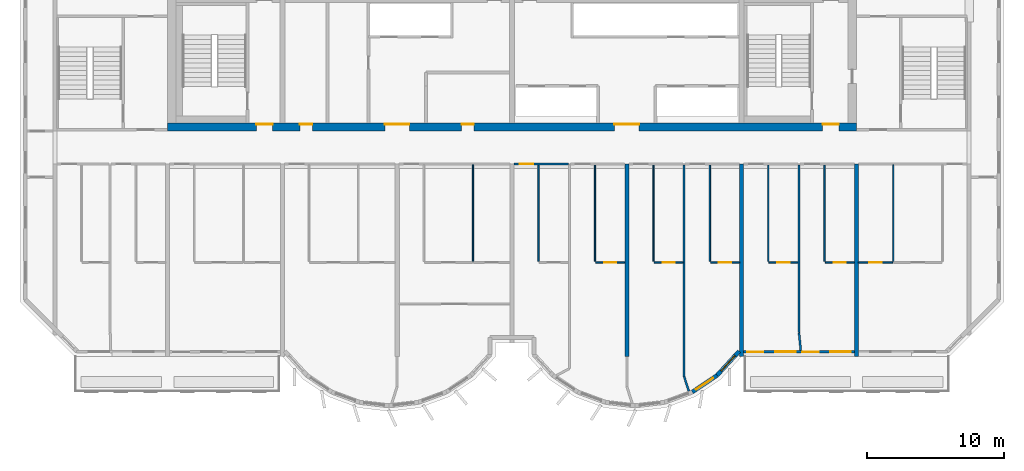
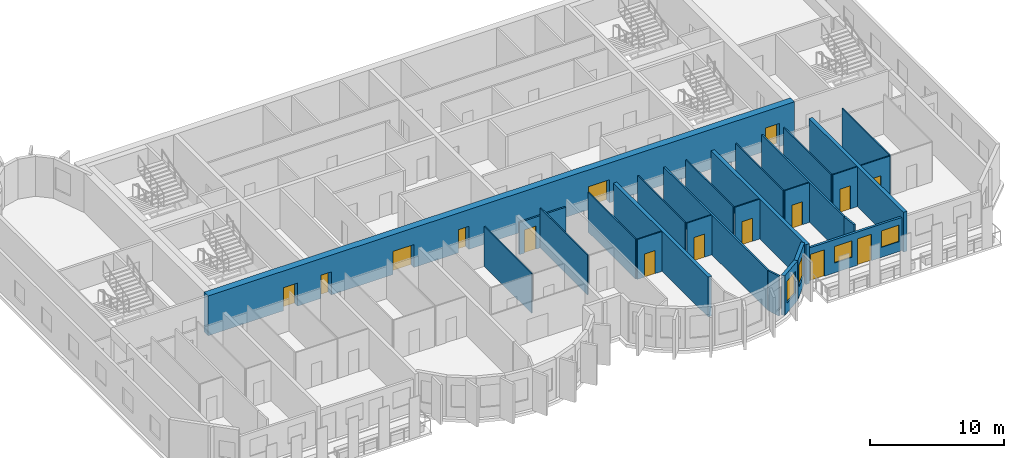
# One storey, part 5 of 12: 26 walls, 15 doors, 4 windows, 19 openings.
"""IFC4 building model written with IfcOpenShell, lengths in metres."""

from ifc_helpers import new_model, si_unit, direction, frame, frame_2d, origin, place, context, subcontext, project, spatial, rectangle, extrude, source, transform, mapped, material, layer, layer_set, type_object, element, fill, save


model = new_model("IFC4")

# Units and contexts
model_context = context("Model", 3, precision=1e-05, world=origin(), true_north=direction((0.0, 1.0)))
body_context = subcontext(model_context, "Body", "Model", "MODEL_VIEW")
ifc_project = project(units=[si_unit("LENGTHUNIT", "METRE"), si_unit("AREAUNIT", "SQUARE_METRE"), si_unit("VOLUMEUNIT", "CUBIC_METRE"), si_unit("PLANEANGLEUNIT", "RADIAN"), si_unit("MASSUNIT", "GRAM", prefix="KILO")], contexts=[model_context])

# Site, building, storey
site_placement = place(None, origin())
site = spatial("IfcSite", under=ifc_project, at=site_placement, CompositionType="ELEMENT")
building_placement = place(site_placement, origin())
building = spatial("IfcBuilding", under=site, at=building_placement, Name="Vanashikhar Sky Hotel", CompositionType="ELEMENT")
storey_placement = place(building_placement, frame((0.0, 0.0, 221.800048828125)))
storey = spatial("IfcBuildingStorey", under=building, at=storey_placement, Name="L53", CompositionType="ELEMENT", Elevation=221.800048828125)

# Wall, openings, doors
ifc_material_1 = material(Name="Concrete M60", Category="concrete")
ifc_layer_1 = layer(ifc_material_1, 0.60009765625)
ifc_layer_set_1 = layer_set([ifc_layer_1], Name="RC core shell wall 600 Concrete M60")
wall_type_1 = type_object("IfcWallType", Name="RC core shell wall 600 Concrete M60", PredefinedType="SHEAR", material=ifc_layer_set_1)
shared_shape_1 = source(origin(), body_context, "Body", "SweptSolid", [
    extrude(rectangle(XDim=50.400146484375, YDim=0.60009765625, at=frame_2d((25.2001953125, 0.0))), origin(), (0.0, 0.0, 1.0), 3.619873046875),
])
wall_1_placement = place(storey_placement, frame((25.199951171875, 22.300048828125, 0.0), z_axis=(0.0, 0.0, 1.0), x_axis=(1.0, 0.0, 0.0)))
wall_1 = element("IfcWall", 1, at=wall_1_placement, inside=storey, type_object=wall_type_1, Name="KW-L53-KS", PredefinedType="SHEAR", context=body_context, shape_type="MappedRepresentation", body=[
    mapped(shared_shape_1, transform((0.0, 0.0, 0.0), scale=1.0)),
])
shared_shape_2 = source(origin(), body_context, "Body", "SweptSolid", [
    extrude(rectangle(XDim=1.800048828125, YDim=2.10009765625, at=frame_2d((0.89990234375, 1.050048828125))), frame((0.0, 0.31005859375, 0.0), z_axis=(0.0, -1.0, 0.0), x_axis=(1.0, 0.0, 0.0)), (0.0, 0.0, 1.0), 0.6201171875),
])
opening_1_placement = place(wall_1_placement, frame((15.89990234375, 0.0, 0.0)))
opening_1 = element("IfcOpeningElement", 2, at=opening_1_placement, cuts=wall_1, Name="Opening DC-3-A", PredefinedType="OPENING", context=body_context, shape_type="MappedRepresentation", body=[
    mapped(shared_shape_2, transform((0.0, 0.0, 0.0), scale=1.0)),
])
shared_shape_3 = source(origin(), body_context, "Body", "SweptSolid", [
    extrude(rectangle(XDim=0.89990234375, YDim=2.10009765625, at=frame_2d((0.449951171875, 1.050048828125))), frame((0.0, 0.31005859375, 0.0), z_axis=(0.0, -1.0, 0.0), x_axis=(1.0, 0.0, 0.0)), (0.0, 0.0, 1.0), 0.6201171875),
])
opening_2_placement = place(wall_1_placement, frame((9.68701171875, 0.0, 0.0)))
opening_2 = element("IfcOpeningElement", 3, at=opening_2_placement, cuts=wall_1, Name="Opening DC-4-A", PredefinedType="OPENING", context=body_context, shape_type="MappedRepresentation", body=[
    mapped(shared_shape_3, transform((0.0, 0.0, 0.0), scale=1.0)),
])
opening_3_placement = place(wall_1_placement, frame((21.512939453125, 0.0, 0.0)))
opening_3 = element("IfcOpeningElement", 4, at=opening_3_placement, cuts=wall_1, Name="Opening DC-4-A", PredefinedType="OPENING", context=body_context, shape_type="MappedRepresentation", body=[
    mapped(shared_shape_3, transform((0.0, 0.0, 0.0), scale=1.0)),
])
opening_4_placement = place(wall_1_placement, frame((32.699951171875, 0.0, 0.0)))
opening_4 = element("IfcOpeningElement", 5, at=opening_4_placement, cuts=wall_1, Name="Opening DC-3-A", PredefinedType="OPENING", context=body_context, shape_type="MappedRepresentation", body=[
    mapped(shared_shape_2, transform((0.0, 0.0, 0.0), scale=1.0)),
])
shared_shape_4 = source(origin(), body_context, "Body", "SweptSolid", [
    extrude(rectangle(XDim=1.199951171875, YDim=2.10009765625, at=frame_2d((0.60009765625, 1.050048828125))), frame((0.0, 0.31005859375, 0.0), z_axis=(0.0, -1.0, 0.0), x_axis=(1.0, 0.0, 0.0)), (0.0, 0.0, 1.0), 0.6201171875),
])
opening_5_placement = place(wall_1_placement, frame((6.488037109375, 0.0, 0.0)))
opening_5 = element("IfcOpeningElement", 6, at=opening_5_placement, cuts=wall_1, Name="Opening DC-2", PredefinedType="OPENING", context=body_context, shape_type="MappedRepresentation", body=[
    mapped(shared_shape_4, transform((0.0, 0.0, 0.0), scale=1.0)),
])
opening_6_placement = place(wall_1_placement, frame((47.925048828125, 0.0, 0.0)))
opening_6 = element("IfcOpeningElement", 7, at=opening_6_placement, cuts=wall_1, Name="Opening DC-2", PredefinedType="OPENING", context=body_context, shape_type="MappedRepresentation", body=[
    mapped(shared_shape_4, transform((0.0, 0.0, 0.0), scale=1.0)),
])
ifc_material_2 = material(Name="Steel", Category="steel")
door_type_1 = type_object("IfcDoorType", Name="Firefighting lobby door 1200 FD120", OperationType="NOTDEFINED", PredefinedType="DOOR", material=ifc_material_2)
shared_shape_5 = source(origin(), body_context, "Body", "SweptSolid", [
    extrude(rectangle(XDim=1.199951171875, YDim=2.10009765625, at=frame_2d((0.60009765625, 1.050048828125))), frame((0.0, 0.22509765625, 0.0), z_axis=(0.0, -1.0, 0.0), x_axis=(1.0, 0.0, 0.0)), (0.0, 0.0, 1.0), 0.050048828125),
])
door_1_placement = place(opening_5_placement, origin())
door_1 = element("IfcDoor", 8, at=door_1_placement, inside=storey, type_object=door_type_1, Name="Firefighting lobby door 1200 FD120", OperationType="SINGLE_SWING_LEFT", OverallHeight=2.10009765625, OverallWidth=1.199951171875, PredefinedType="DOOR", context=body_context, shape_type="MappedRepresentation", body=[
    mapped(shared_shape_5, transform((0.0, 0.0, 0.0), scale=1.0)),
])
fill(opening_5, door_1)
door_2_placement = place(opening_6_placement, origin())
door_2 = element("IfcDoor", 9, at=door_2_placement, inside=storey, type_object=door_type_1, Name="Firefighting lobby door 1200 FD120", OperationType="SINGLE_SWING_LEFT", OverallHeight=2.10009765625, OverallWidth=1.199951171875, PredefinedType="DOOR", context=body_context, shape_type="MappedRepresentation", body=[
    mapped(shared_shape_5, transform((0.0, 0.0, 0.0), scale=1.0)),
])
fill(opening_6, door_2)
door_type_2 = type_object("IfcDoorType", Name="Service door 900 FD60", OperationType="NOTDEFINED", PredefinedType="DOOR", material=ifc_material_2)
shared_shape_6 = source(origin(), body_context, "Body", "SweptSolid", [
    extrude(rectangle(XDim=0.89990234375, YDim=2.10009765625, at=frame_2d((0.449951171875, 1.050048828125))), frame((0.0, 0.22509765625, 0.0), z_axis=(0.0, -1.0, 0.0), x_axis=(1.0, 0.0, 0.0)), (0.0, 0.0, 1.0), 0.050048828125),
])
door_3_placement = place(opening_2_placement, origin())
door_3 = element("IfcDoor", 10, at=door_3_placement, inside=storey, type_object=door_type_2, Name="Service door 900 FD60", OperationType="SINGLE_SWING_RIGHT", OverallHeight=2.10009765625, OverallWidth=0.89990234375, PredefinedType="DOOR", context=body_context, shape_type="MappedRepresentation", body=[
    mapped(shared_shape_6, transform((0.0, 0.0, 0.0), scale=1.0)),
])
fill(opening_2, door_3)
door_4_placement = place(opening_3_placement, origin())
door_4 = element("IfcDoor", 11, at=door_4_placement, inside=storey, type_object=door_type_2, Name="Service door 900 FD60", OperationType="SINGLE_SWING_LEFT", OverallHeight=2.10009765625, OverallWidth=0.89990234375, PredefinedType="DOOR", context=body_context, shape_type="MappedRepresentation", body=[
    mapped(shared_shape_6, transform((0.0, 0.0, 0.0), scale=1.0)),
])
fill(opening_3, door_4)
ifc_material_3 = material(Name="Glass", Category="glass")
door_type_3 = type_object("IfcDoorType", Name="Lift lobby entrance door 1800 FD30S", OperationType="NOTDEFINED", PredefinedType="DOOR", material=ifc_material_3)
shared_shape_7 = source(origin(), body_context, "Body", "SweptSolid", [
    extrude(rectangle(XDim=1.800048828125, YDim=2.10009765625, at=frame_2d((0.89990234375, 1.050048828125))), frame((0.0, 0.22509765625, 0.0), z_axis=(0.0, -1.0, 0.0), x_axis=(1.0, 0.0, 0.0)), (0.0, 0.0, 1.0), 0.050048828125),
])
door_5_placement = place(opening_1_placement, origin())
door_5 = element("IfcDoor", 12, at=door_5_placement, inside=storey, type_object=door_type_3, Name="Lift lobby entrance door 1800 FD30S", OperationType="DOUBLE_DOOR_SINGLE_SWING", OverallHeight=2.10009765625, OverallWidth=1.800048828125, PredefinedType="DOOR", context=body_context, shape_type="MappedRepresentation", body=[
    mapped(shared_shape_7, transform((0.0, 0.0, 0.0), scale=1.0)),
])
fill(opening_1, door_5)
door_6_placement = place(opening_4_placement, origin())
door_6 = element("IfcDoor", 13, at=door_6_placement, inside=storey, type_object=door_type_3, Name="Lift lobby entrance door 1800 FD30S", OperationType="DOUBLE_DOOR_SINGLE_SWING", OverallHeight=2.10009765625, OverallWidth=1.800048828125, PredefinedType="DOOR", context=body_context, shape_type="MappedRepresentation", body=[
    mapped(shared_shape_7, transform((0.0, 0.0, 0.0), scale=1.0)),
])
fill(opening_4, door_6)

# Walls
ifc_layer_2 = layer(ifc_material_1, 0.300048828125)
ifc_layer_set_2 = layer_set([ifc_layer_2], Name="RC shear wall 300 Concrete M60")
wall_type_2 = type_object("IfcWallType", Name="RC shear wall 300 Concrete M60", PredefinedType="SHEAR", material=ifc_layer_set_2)
shared_shape_8 = source(origin(), body_context, "Body", "SweptSolid", [
    extrude(rectangle(XDim=14.10009765625, YDim=0.300048828125, at=frame_2d((7.050048828125, 0.0))), origin(), (0.0, 0.0, 1.0), 3.619873046875),
])
for number, where, z_axis, x_axis, name in (
    (14, (58.800048828125, 5.5, 0.0), (0.0, 0.0, 1.0), (0.0, 1.0, 0.0), "CW-L53-XW08-1"),
    (15, (67.199951171875, 5.5, 0.0), (0.0, 0.0, 1.0), (0.0, 1.0, 0.0), "CW-L53-XW09-1"),
    (16, (75.60009765625, 5.5, 0.0), (0.0, 0.0, 1.0), (0.0, 1.0, 0.0), "CW-L53-XW10-1"),
):
    element("IfcWall", number, at=place(storey_placement, frame(where, z_axis=z_axis, x_axis=x_axis)), inside=storey, type_object=wall_type_2, Name=name, PredefinedType="SHEAR", context=body_context, shape_type="MappedRepresentation", body=[
        mapped(shared_shape_8, transform((0.0, 0.0, 0.0), scale=1.0)),
    ])

# Wall, openings, windows, doors
ifc_material_4 = material(Name="Concrete M50", Category="concrete")
ifc_layer_3 = layer(ifc_material_4, 0.199951171875)
ifc_layer_set_3 = layer_set([ifc_layer_3], Name="Front window wall 200")
wall_type_3 = type_object("IfcWallType", Name="Front window wall 200", PredefinedType="SOLIDWALL", material=ifc_layer_set_3)
shared_shape_9 = source(origin(), body_context, "Body", "SweptSolid", [
    extrude(rectangle(XDim=8.099853515625, YDim=0.199951171875, at=frame_2d((4.0498046875, 0.0))), origin(), (0.0, 0.0, 1.0), 3.02001953125),
])
wall_2_placement = place(storey_placement, frame((67.35009765625, 5.85009765625, 0.0), z_axis=(0.0, 0.0, 1.0), x_axis=(1.0, 0.0, 0.0)))
wall_2 = element("IfcWall", 17, at=wall_2_placement, inside=storey, type_object=wall_type_3, Name="Front window wall", PredefinedType="SOLIDWALL", context=body_context, shape_type="MappedRepresentation", body=[
    mapped(shared_shape_9, transform((0.0, 0.0, 0.0), scale=1.0)),
])
shared_shape_10 = source(origin(), body_context, "Body", "SweptSolid", [
    extrude(rectangle(XDim=1.199951171875, YDim=2.39990234375, at=frame_2d((0.60009765625, 1.199951171875))), frame((0.0, 0.10986328125, 0.0), z_axis=(0.0, -1.0, 0.0), x_axis=(1.0, 0.0, 0.0)), (0.0, 0.0, 1.0), 0.219970703125),
])
opening_7_placement = place(wall_2_placement, frame((0.25, 0.0, 0.0)))
opening_7 = element("IfcOpeningElement", 18, at=opening_7_placement, cuts=wall_2, Name="Opening BD-03", PredefinedType="OPENING", context=body_context, shape_type="MappedRepresentation", body=[
    mapped(shared_shape_10, transform((0.0, 0.0, 0.0), scale=1.0)),
])
shared_shape_11 = source(origin(), body_context, "Body", "SweptSolid", [
    extrude(rectangle(XDim=1.5, YDim=1.5, at=frame_2d((0.75, 0.75))), frame((0.0, 0.10986328125, 0.0), z_axis=(0.0, -1.0, 0.0), x_axis=(1.0, 0.0, 0.0)), (0.0, 0.0, 1.0), 0.219970703125),
])
opening_8_placement = place(wall_2_placement, frame((2.300048828125, 0.0, 0.89990234375)))
opening_8 = element("IfcOpeningElement", 19, at=opening_8_placement, cuts=wall_2, Name="Opening WN-1", PredefinedType="OPENING", context=body_context, shape_type="MappedRepresentation", body=[
    mapped(shared_shape_11, transform((0.0, 0.0, 0.0), scale=1.0)),
])
opening_9_placement = place(wall_2_placement, frame((4.300048828125, 0.0, 0.0)))
opening_9 = element("IfcOpeningElement", 20, at=opening_9_placement, cuts=wall_2, Name="Opening BD-04", PredefinedType="OPENING", context=body_context, shape_type="MappedRepresentation", body=[
    mapped(shared_shape_10, transform((0.0, 0.0, 0.0), scale=1.0)),
])
opening_10_placement = place(wall_2_placement, frame((6.35009765625, 0.0, 0.89990234375)))
opening_10 = element("IfcOpeningElement", 21, at=opening_10_placement, cuts=wall_2, Name="Opening WN-1", PredefinedType="OPENING", context=body_context, shape_type="MappedRepresentation", body=[
    mapped(shared_shape_11, transform((0.0, 0.0, 0.0), scale=1.0)),
])
window_type_1 = type_object("IfcWindowType", Name="Window 1500 x 1500", PartitioningType="SINGLE_PANEL", PredefinedType="WINDOW", material=ifc_material_3)
shared_shape_12 = source(origin(), body_context, "Body", "SweptSolid", [
    extrude(rectangle(XDim=1.5, YDim=1.5, at=frame_2d((0.75, 0.75))), frame((0.0, 0.030029296875, 0.0), z_axis=(0.0, -1.0, 0.0), x_axis=(1.0, 0.0, 0.0)), (0.0, 0.0, 1.0), 0.06005859375),
])
window_1_placement = place(opening_8_placement, origin())
window_1 = element("IfcWindow", 22, at=window_1_placement, inside=storey, type_object=window_type_1, Name="Window WN-1", OverallHeight=1.5, OverallWidth=1.5, PartitioningType="SINGLE_PANEL", PredefinedType="WINDOW", context=body_context, shape_type="MappedRepresentation", body=[
    mapped(shared_shape_12, transform((0.0, 0.0, 0.0), scale=1.0)),
])
fill(opening_8, window_1)
window_2_placement = place(opening_10_placement, origin())
window_2 = element("IfcWindow", 23, at=window_2_placement, inside=storey, type_object=window_type_1, Name="Window WN-1", OverallHeight=1.5, OverallWidth=1.5, PartitioningType="SINGLE_PANEL", PredefinedType="WINDOW", context=body_context, shape_type="MappedRepresentation", body=[
    mapped(shared_shape_12, transform((0.0, 0.0, 0.0), scale=1.0)),
])
fill(opening_10, window_2)
ifc_material_5 = material(Name="Aluminium", Category="aluminium")
door_type_4 = type_object("IfcDoorType", Name="Balcony sliding door 1200 x 2400", OperationType="NOTDEFINED", PredefinedType="DOOR", material=ifc_material_5)
shared_shape_13 = source(origin(), body_context, "Body", "SweptSolid", [
    extrude(rectangle(XDim=1.199951171875, YDim=2.39990234375, at=frame_2d((0.60009765625, 1.199951171875))), frame((0.0, 0.02490234375, 0.0), z_axis=(0.0, -1.0, 0.0), x_axis=(1.0, 0.0, 0.0)), (0.0, 0.0, 1.0), 0.050048828125),
])
door_7_placement = place(opening_7_placement, origin())
door_7 = element("IfcDoor", 24, at=door_7_placement, inside=storey, type_object=door_type_4, Name="Balcony sliding door", OperationType="SLIDING_TO_LEFT", OverallHeight=2.39990234375, OverallWidth=1.199951171875, PredefinedType="DOOR", context=body_context, shape_type="MappedRepresentation", body=[
    mapped(shared_shape_13, transform((0.0, 0.0, 0.0), scale=1.0)),
])
fill(opening_7, door_7)
door_8_placement = place(opening_9_placement, origin())
door_8 = element("IfcDoor", 25, at=door_8_placement, inside=storey, type_object=door_type_4, Name="Balcony sliding door", OperationType="SLIDING_TO_RIGHT", OverallHeight=2.39990234375, OverallWidth=1.199951171875, PredefinedType="DOOR", context=body_context, shape_type="MappedRepresentation", body=[
    mapped(shared_shape_13, transform((0.0, 0.0, 0.0), scale=1.0)),
])
fill(opening_9, door_8)

# Wall, opening, window
ifc_layer_4 = layer(ifc_material_4, 0.300048828125)
ifc_layer_set_4 = layer_set([ifc_layer_4], Name="Lobe wall 300")
wall_type_4 = type_object("IfcWallType", Name="Lobe wall 300", PredefinedType="SOLIDWALL", material=ifc_layer_set_4)
shared_shape_14 = source(origin(), body_context, "Body", "SweptSolid", [
    extrude(rectangle(XDim=2.398193359375, YDim=0.300048828125, at=frame_2d((1.19921875, 0.0))), origin(), (0.0, 0.0, 1.0), 3.619873046875),
])
wall_3_placement = place(storey_placement, frame((65.404296875, 4.13134765625, 0.0), z_axis=(0.0, 0.0, 1.0), x_axis=(0.675374189419, 0.737475222815, 0.0)))
wall_3 = element("IfcWall", 26, at=wall_3_placement, inside=storey, type_object=wall_type_4, Name="Lobe wall", PredefinedType="SOLIDWALL", context=body_context, shape_type="MappedRepresentation", body=[
    mapped(shared_shape_14, transform((0.0, 0.0, 0.0), scale=1.0)),
])
shared_shape_15 = source(origin(), body_context, "Body", "SweptSolid", [
    extrude(rectangle(XDim=1.5, YDim=2.0, at=frame_2d((0.75, 1.0))), frame((0.0, 0.16015625, 0.0), z_axis=(0.0, -1.0, 0.0), x_axis=(1.0, 0.0, 0.0)), (0.0, 0.0, 1.0), 0.320068359375),
])
opening_11_placement = place(wall_3_placement, frame((0.44921875, 0.0, 0.89990234375)))
opening_11 = element("IfcOpeningElement", 27, at=opening_11_placement, cuts=wall_3, Name="Opening WN-2", PredefinedType="OPENING", context=body_context, shape_type="MappedRepresentation", body=[
    mapped(shared_shape_15, transform((0.0, 0.0, 0.0), scale=1.0)),
])
window_type_2 = type_object("IfcWindowType", Name="Lobe window 1500 x 2000", PartitioningType="SINGLE_PANEL", PredefinedType="WINDOW", material=ifc_material_3)
shared_shape_16 = source(origin(), body_context, "Body", "SweptSolid", [
    extrude(rectangle(XDim=1.5, YDim=2.0, at=frame_2d((0.75, 1.0))), frame((0.0, 0.030029296875, 0.0), z_axis=(0.0, -1.0, 0.0), x_axis=(1.0, 0.0, 0.0)), (0.0, 0.0, 1.0), 0.06005859375),
])
window_3_placement = place(opening_11_placement, origin())
window_3 = element("IfcWindow", 28, at=window_3_placement, inside=storey, type_object=window_type_2, Name="Window WN-2", OverallHeight=2.0, OverallWidth=1.5, PartitioningType="SINGLE_PANEL", PredefinedType="WINDOW", context=body_context, shape_type="MappedRepresentation", body=[
    mapped(shared_shape_16, transform((0.0, 0.0, 0.0), scale=1.0)),
])
fill(opening_11, window_3)

shared_shape_17 = source(origin(), body_context, "Body", "SweptSolid", [
    extrude(rectangle(XDim=2.17578125, YDim=0.300048828125, at=frame_2d((1.087890625, 0.0))), origin(), (0.0, 0.0, 1.0), 3.619873046875),
])
wall_4_placement = place(storey_placement, frame((63.59912109375, 2.91650390625, 0.0), z_axis=(0.0, 0.0, 1.0), x_axis=(0.829625727223, 0.558319937607, 0.0)))
wall_4 = element("IfcWall", 29, at=wall_4_placement, inside=storey, type_object=wall_type_4, Name="Lobe wall", PredefinedType="SOLIDWALL", context=body_context, shape_type="MappedRepresentation", body=[
    mapped(shared_shape_17, transform((0.0, 0.0, 0.0), scale=1.0)),
])
opening_12_placement = place(wall_4_placement, frame((0.337890625, 0.0, 0.89990234375)))
opening_12 = element("IfcOpeningElement", 30, at=opening_12_placement, cuts=wall_4, Name="Opening WN-2", PredefinedType="OPENING", context=body_context, shape_type="MappedRepresentation", body=[
    mapped(shared_shape_15, transform((0.0, 0.0, 0.0), scale=1.0)),
])
window_4_placement = place(opening_12_placement, origin())
window_4 = element("IfcWindow", 31, at=window_4_placement, inside=storey, type_object=window_type_2, Name="Window WN-2", OverallHeight=2.0, OverallWidth=1.5, PartitioningType="SINGLE_PANEL", PredefinedType="WINDOW", context=body_context, shape_type="MappedRepresentation", body=[
    mapped(shared_shape_16, transform((0.0, 0.0, 0.0), scale=1.0)),
])
fill(opening_12, window_4)

# Wall, opening, door
ifc_material_6 = material(Name="Gypsum plasterboard partition")
ifc_layer_5 = layer(ifc_material_6, 0.14990234375)
ifc_layer_set_5 = layer_set([ifc_layer_5], Name="Corridor and demising partition 150")
wall_type_5 = type_object("IfcWallType", Name="Corridor and demising partition 150", PredefinedType="PARTITIONING", material=ifc_layer_set_5)
shared_shape_18 = source(origin(), body_context, "Body", "SweptSolid", [
    extrude(rectangle(XDim=3.974853515625, YDim=0.14990234375, at=frame_2d((1.9873046875, 0.0))), origin(), (0.0, 0.0, 1.0), 2.919921875),
])
wall_5_placement = place(storey_placement, frame((50.550048828125, 19.60009765625, 0.0), z_axis=(0.0, 0.0, 1.0), x_axis=(1.0, 0.0, 0.0)))
wall_5 = element("IfcWall", 32, at=wall_5_placement, inside=storey, type_object=wall_type_5, Name="W-L53-PW026", PredefinedType="PARTITIONING", context=body_context, shape_type="MappedRepresentation", body=[
    mapped(shared_shape_18, transform((0.0, 0.0, 0.0), scale=1.0)),
])
shared_shape_19 = source(origin(), body_context, "Body", "SweptSolid", [
    extrude(rectangle(XDim=1.0, YDim=2.10009765625, at=frame_2d((0.5, 1.050048828125))), frame((0.0, 0.0849609375, 0.0), z_axis=(0.0, -1.0, 0.0), x_axis=(1.0, 0.0, 0.0)), (0.0, 0.0, 1.0), 0.169921875),
])
opening_13_placement = place(wall_5_placement, frame((0.39990234375, 0.0, 0.0)))
opening_13 = element("IfcOpeningElement", 33, at=opening_13_placement, cuts=wall_5, Name="Opening D-01", PredefinedType="OPENING", context=body_context, shape_type="MappedRepresentation", body=[
    mapped(shared_shape_19, transform((0.0, 0.0, 0.0), scale=1.0)),
])
ifc_material_7 = material(Name="Timber fire door", Category="wood")
door_type_5 = type_object("IfcDoorType", Name="Guest entry door 1000 FD30S", OperationType="NOTDEFINED", PredefinedType="DOOR", material=ifc_material_7)
shared_shape_20 = source(origin(), body_context, "Body", "SweptSolid", [
    extrude(rectangle(XDim=1.0, YDim=2.10009765625, at=frame_2d((0.5, 1.050048828125))), frame((0.0, 0.02490234375, 0.0), z_axis=(0.0, -1.0, 0.0), x_axis=(1.0, 0.0, 0.0)), (0.0, 0.0, 1.0), 0.050048828125),
])
door_9_placement = place(opening_13_placement, origin())
door_9 = element("IfcDoor", 34, at=door_9_placement, inside=storey, type_object=door_type_5, Name="D-L53-016", OperationType="SINGLE_SWING_LEFT", OverallHeight=2.10009765625, OverallWidth=1.0, PredefinedType="DOOR", context=body_context, shape_type="MappedRepresentation", body=[
    mapped(shared_shape_20, transform((0.0, 0.0, 0.0), scale=1.0)),
])
fill(opening_13, door_9)

# Walls
ifc_layer_6 = layer(ifc_material_6, 0.10009765625)
ifc_layer_set_6 = layer_set([ifc_layer_6], Name="Wet room partition 100")
wall_type_6 = type_object("IfcWallType", Name="Wet room partition 100", PredefinedType="PARTITIONING", material=ifc_layer_set_6)
shared_shape_21 = source(origin(), body_context, "Body", "SweptSolid", [
    extrude(rectangle(XDim=7.0498046875, YDim=0.10009765625, at=frame_2d((3.52490234375, 0.0))), origin(), (0.0, 0.0, 1.0), 3.619873046875),
])
for number, where, z_axis, x_axis, name in (
    (35, (47.550048828125, 12.47509765625, 0.0), (0.0, 0.0, 1.0), (0.0, 1.0, 0.0), "W-L53-PW019"),
    (36, (52.35009765625, 12.47509765625, 0.0), (0.0, 0.0, 1.0), (0.0, 1.0, 0.0), "W-L53-PW024"),
    (37, (56.47509765625, 12.47509765625, 0.0), (0.0, 0.0, 1.0), (0.0, 1.0, 0.0), "W-L53-PW027"),
    (38, (60.75, 12.47509765625, 0.0), (0.0, 0.0, 1.0), (0.0, 1.0, 0.0), "W-L53-PW031"),
    (39, (64.875, 12.47509765625, 0.0), (0.0, 0.0, 1.0), (0.0, 1.0, 0.0), "W-L53-PW034"),
    (40, (69.14990234375, 12.47509765625, 0.0), (0.0, 0.0, 1.0), (0.0, 1.0, 0.0), "W-L53-PW038"),
    (41, (73.27490234375, 12.47509765625, 0.0), (0.0, 0.0, 1.0), (0.0, 1.0, 0.0), "W-L53-PW041"),
    (42, (78.300048828125, 12.47509765625, 0.0), (0.0, 0.0, 1.0), (0.0, 1.0, 0.0), "W-L53-PW046"),
):
    element("IfcWall", number, at=place(storey_placement, frame(where, z_axis=z_axis, x_axis=x_axis)), inside=storey, type_object=wall_type_6, Name=name, PredefinedType="PARTITIONING", context=body_context, shape_type="MappedRepresentation", body=[
        mapped(shared_shape_21, transform((0.0, 0.0, 0.0), scale=1.0)),
    ])

# Wall, opening, door
shared_shape_22 = source(origin(), body_context, "Body", "SweptSolid", [
    extrude(rectangle(XDim=2.125, YDim=0.10009765625, at=frame_2d((1.0625, 0.0))), origin(), (0.0, 0.0, 1.0), 3.619873046875),
])
wall_6_placement = place(storey_placement, frame((56.52490234375, 12.39990234375, 0.0), z_axis=(0.0, 0.0, 1.0), x_axis=(1.0, 0.0, 0.0)))
wall_6 = element("IfcWall", 43, at=wall_6_placement, inside=storey, type_object=wall_type_6, Name="W-L53-PW028", PredefinedType="PARTITIONING", context=body_context, shape_type="MappedRepresentation", body=[
    mapped(shared_shape_22, transform((0.0, 0.0, 0.0), scale=1.0)),
])
shared_shape_23 = source(origin(), body_context, "Body", "SweptSolid", [
    extrude(rectangle(XDim=0.89990234375, YDim=2.10009765625, at=frame_2d((0.449951171875, 1.050048828125))), frame((0.0, 0.06005859375, 0.0), z_axis=(0.0, -1.0, 0.0), x_axis=(1.0, 0.0, 0.0)), (0.0, 0.0, 1.0), 0.1201171875),
])
opening_14_placement = place(wall_6_placement, frame((0.612060546875, 0.0, 0.0)))
opening_14 = element("IfcOpeningElement", 44, at=opening_14_placement, cuts=wall_6, Name="Opening D-02", PredefinedType="OPENING", context=body_context, shape_type="MappedRepresentation", body=[
    mapped(shared_shape_23, transform((0.0, 0.0, 0.0), scale=1.0)),
])
ifc_material_8 = material(Name="Timber door", Category="wood")
door_type_6 = type_object("IfcDoorType", Name="Internal door 900", OperationType="NOTDEFINED", PredefinedType="DOOR", material=ifc_material_8)
shared_shape_24 = source(origin(), body_context, "Body", "SweptSolid", [
    extrude(rectangle(XDim=0.89990234375, YDim=2.10009765625, at=frame_2d((0.449951171875, 1.050048828125))), frame((0.0, 0.02490234375, 0.0), z_axis=(0.0, -1.0, 0.0), x_axis=(1.0, 0.0, 0.0)), (0.0, 0.0, 1.0), 0.050048828125),
])
door_10_placement = place(opening_14_placement, origin())
door_10 = element("IfcDoor", 45, at=door_10_placement, inside=storey, type_object=door_type_6, Name="D-L53-017", OperationType="SINGLE_SWING_LEFT", OverallHeight=2.10009765625, OverallWidth=0.89990234375, PredefinedType="DOOR", context=body_context, shape_type="MappedRepresentation", body=[
    mapped(shared_shape_24, transform((0.0, 0.0, 0.0), scale=1.0)),
])
fill(opening_14, door_10)

wall_7_placement = place(storey_placement, frame((60.800048828125, 12.39990234375, 0.0), z_axis=(0.0, 0.0, 1.0), x_axis=(1.0, 0.0, 0.0)))
wall_7 = element("IfcWall", 46, at=wall_7_placement, inside=storey, type_object=wall_type_6, Name="W-L53-PW032", PredefinedType="PARTITIONING", context=body_context, shape_type="MappedRepresentation", body=[
    mapped(shared_shape_22, transform((0.0, 0.0, 0.0), scale=1.0)),
])
opening_15_placement = place(wall_7_placement, frame((0.612060546875, 0.0, 0.0)))
opening_15 = element("IfcOpeningElement", 47, at=opening_15_placement, cuts=wall_7, Name="Opening D-02", PredefinedType="OPENING", context=body_context, shape_type="MappedRepresentation", body=[
    mapped(shared_shape_23, transform((0.0, 0.0, 0.0), scale=1.0)),
])
door_11_placement = place(opening_15_placement, origin())
door_11 = element("IfcDoor", 48, at=door_11_placement, inside=storey, type_object=door_type_6, Name="D-L53-019", OperationType="SINGLE_SWING_LEFT", OverallHeight=2.10009765625, OverallWidth=0.89990234375, PredefinedType="DOOR", context=body_context, shape_type="MappedRepresentation", body=[
    mapped(shared_shape_24, transform((0.0, 0.0, 0.0), scale=1.0)),
])
fill(opening_15, door_11)

wall_8_placement = place(storey_placement, frame((64.925048828125, 12.39990234375, 0.0), z_axis=(0.0, 0.0, 1.0), x_axis=(1.0, 0.0, 0.0)))
wall_8 = element("IfcWall", 49, at=wall_8_placement, inside=storey, type_object=wall_type_6, Name="W-L53-PW035", PredefinedType="PARTITIONING", context=body_context, shape_type="MappedRepresentation", body=[
    mapped(shared_shape_22, transform((0.0, 0.0, 0.0), scale=1.0)),
])
opening_16_placement = place(wall_8_placement, frame((0.612060546875, 0.0, 0.0)))
opening_16 = element("IfcOpeningElement", 50, at=opening_16_placement, cuts=wall_8, Name="Opening D-02", PredefinedType="OPENING", context=body_context, shape_type="MappedRepresentation", body=[
    mapped(shared_shape_23, transform((0.0, 0.0, 0.0), scale=1.0)),
])
door_12_placement = place(opening_16_placement, origin())
door_12 = element("IfcDoor", 51, at=door_12_placement, inside=storey, type_object=door_type_6, Name="D-L53-021", OperationType="SINGLE_SWING_LEFT", OverallHeight=2.10009765625, OverallWidth=0.89990234375, PredefinedType="DOOR", context=body_context, shape_type="MappedRepresentation", body=[
    mapped(shared_shape_24, transform((0.0, 0.0, 0.0), scale=1.0)),
])
fill(opening_16, door_12)

wall_9_placement = place(storey_placement, frame((69.199951171875, 12.39990234375, 0.0), z_axis=(0.0, 0.0, 1.0), x_axis=(1.0, 0.0, 0.0)))
wall_9 = element("IfcWall", 52, at=wall_9_placement, inside=storey, type_object=wall_type_6, Name="W-L53-PW039", PredefinedType="PARTITIONING", context=body_context, shape_type="MappedRepresentation", body=[
    mapped(shared_shape_22, transform((0.0, 0.0, 0.0), scale=1.0)),
])
opening_17_placement = place(wall_9_placement, frame((0.612060546875, 0.0, 0.0)))
opening_17 = element("IfcOpeningElement", 53, at=opening_17_placement, cuts=wall_9, Name="Opening D-02", PredefinedType="OPENING", context=body_context, shape_type="MappedRepresentation", body=[
    mapped(shared_shape_23, transform((0.0, 0.0, 0.0), scale=1.0)),
])
door_13_placement = place(opening_17_placement, origin())
door_13 = element("IfcDoor", 54, at=door_13_placement, inside=storey, type_object=door_type_6, Name="D-L53-023", OperationType="SINGLE_SWING_LEFT", OverallHeight=2.10009765625, OverallWidth=0.89990234375, PredefinedType="DOOR", context=body_context, shape_type="MappedRepresentation", body=[
    mapped(shared_shape_24, transform((0.0, 0.0, 0.0), scale=1.0)),
])
fill(opening_17, door_13)

wall_10_placement = place(storey_placement, frame((73.324951171875, 12.39990234375, 0.0), z_axis=(0.0, 0.0, 1.0), x_axis=(1.0, 0.0, 0.0)))
wall_10 = element("IfcWall", 55, at=wall_10_placement, inside=storey, type_object=wall_type_6, Name="W-L53-PW042", PredefinedType="PARTITIONING", context=body_context, shape_type="MappedRepresentation", body=[
    mapped(shared_shape_22, transform((0.0, 0.0, 0.0), scale=1.0)),
])
opening_18_placement = place(wall_10_placement, frame((0.612060546875, 0.0, 0.0)))
opening_18 = element("IfcOpeningElement", 56, at=opening_18_placement, cuts=wall_10, Name="Opening D-02", PredefinedType="OPENING", context=body_context, shape_type="MappedRepresentation", body=[
    mapped(shared_shape_23, transform((0.0, 0.0, 0.0), scale=1.0)),
])
door_14_placement = place(opening_18_placement, origin())
door_14 = element("IfcDoor", 57, at=door_14_placement, inside=storey, type_object=door_type_6, Name="D-L53-025", OperationType="SINGLE_SWING_LEFT", OverallHeight=2.10009765625, OverallWidth=0.89990234375, PredefinedType="DOOR", context=body_context, shape_type="MappedRepresentation", body=[
    mapped(shared_shape_24, transform((0.0, 0.0, 0.0), scale=1.0)),
])
fill(opening_18, door_14)

# Walls
shared_shape_25 = source(origin(), body_context, "Body", "SweptSolid", [
    extrude(rectangle(XDim=12.27490234375, YDim=0.14990234375, at=frame_2d((6.137451171875, 0.0))), origin(), (0.0, 0.0, 1.0), 3.619873046875),
])
wall_11_placement = place(storey_placement, frame((71.39990234375, 7.25, 0.0), z_axis=(0.0, 0.0, 1.0), x_axis=(0.0, 1.0, 0.0)))
element("IfcWall", 58, at=wall_11_placement, inside=storey, type_object=wall_type_5, Name="W-L53-PW044", PredefinedType="PARTITIONING", context=body_context, shape_type="MappedRepresentation", body=[
    mapped(shared_shape_25, transform((0.0, 0.0, 0.0), scale=1.0)),
])
shared_shape_26 = source(origin(), body_context, "Body", "SweptSolid", [
    extrude(rectangle(XDim=15.497802734375, YDim=0.14990234375, at=frame_2d((7.7490234375, 0.0))), origin(), (0.0, 0.0, 1.0), 3.619873046875),
])
wall_12_placement = place(storey_placement, frame((63.0, 4.027099609375, 0.0), z_axis=(0.0, 0.0, 1.0), x_axis=(0.0, 1.0, 0.0)))
element("IfcWall", 59, at=wall_12_placement, inside=storey, type_object=wall_type_5, Name="W-L53-PW037", PredefinedType="PARTITIONING", context=body_context, shape_type="MappedRepresentation", body=[
    mapped(shared_shape_26, transform((0.0, 0.0, 0.0), scale=1.0)),
])

# Wall, opening, door
shared_shape_27 = source(origin(), body_context, "Body", "SweptSolid", [
    extrude(rectangle(XDim=2.5, YDim=0.10009765625, at=frame_2d((1.25, 0.0))), origin(), (0.0, 0.0, 1.0), 3.619873046875),
])
wall_13_placement = place(storey_placement, frame((75.75, 12.39990234375, 0.0), z_axis=(0.0, 0.0, 1.0), x_axis=(1.0, 0.0, 0.0)))
wall_13 = element("IfcWall", 60, at=wall_13_placement, inside=storey, type_object=wall_type_6, Name="W-L53-PW048", PredefinedType="PARTITIONING", context=body_context, shape_type="MappedRepresentation", body=[
    mapped(shared_shape_27, transform((0.0, 0.0, 0.0), scale=1.0)),
])
opening_19_placement = place(wall_13_placement, frame((0.800048828125, 0.0, 0.0)))
opening_19 = element("IfcOpeningElement", 61, at=opening_19_placement, cuts=wall_13, Name="Opening D-02", PredefinedType="OPENING", context=body_context, shape_type="MappedRepresentation", body=[
    mapped(shared_shape_23, transform((0.0, 0.0, 0.0), scale=1.0)),
])
door_15_placement = place(opening_19_placement, origin())
door_15 = element("IfcDoor", 62, at=door_15_placement, inside=storey, type_object=door_type_6, Name="D-L53-028", OperationType="SINGLE_SWING_RIGHT", OverallHeight=2.10009765625, OverallWidth=0.89990234375, PredefinedType="DOOR", context=body_context, shape_type="MappedRepresentation", body=[
    mapped(shared_shape_24, transform((0.0, 0.0, 0.0), scale=1.0)),
])
fill(opening_19, door_15)

# Walls
shared_shape_28 = source(origin(), body_context, "Body", "SweptSolid", [
    extrude(rectangle(XDim=1.100830078125, YDim=0.14990234375, at=frame_2d((0.55029296875, 0.0))), origin(), (0.0, 0.0, 1.0), 3.619873046875),
])
wall_14_placement = place(storey_placement, frame((63.343017578125, 2.98095703125, 0.0), z_axis=(0.0, 0.0, 1.0), x_axis=(-0.311567081539, 0.950224159712, 0.0)))
element("IfcWall", 63, at=wall_14_placement, inside=storey, type_object=wall_type_5, Name="W-L53-PW037B0", PredefinedType="PARTITIONING", context=body_context, shape_type="MappedRepresentation", body=[
    mapped(shared_shape_28, transform((0.0, 0.0, 0.0), scale=1.0)),
])
shared_shape_29 = source(origin(), body_context, "Body", "SweptSolid", [
    extrude(rectangle(XDim=1.306640625, YDim=0.14990234375, at=frame_2d((0.6533203125, 0.0))), origin(), (0.0, 0.0, 1.0), 3.619873046875),
])
wall_15_placement = place(storey_placement, frame((71.530029296875, 5.949951171875, 0.0), z_axis=(0.0, 0.0, 1.0), x_axis=(-0.099596223396, 0.99502793543, 0.0)))
element("IfcWall", 64, at=wall_15_placement, inside=storey, type_object=wall_type_5, Name="W-L53-PW044B0", PredefinedType="PARTITIONING", context=body_context, shape_type="MappedRepresentation", body=[
    mapped(shared_shape_29, transform((0.0, 0.0, 0.0), scale=1.0)),
])

save(model, "model.ifc")
